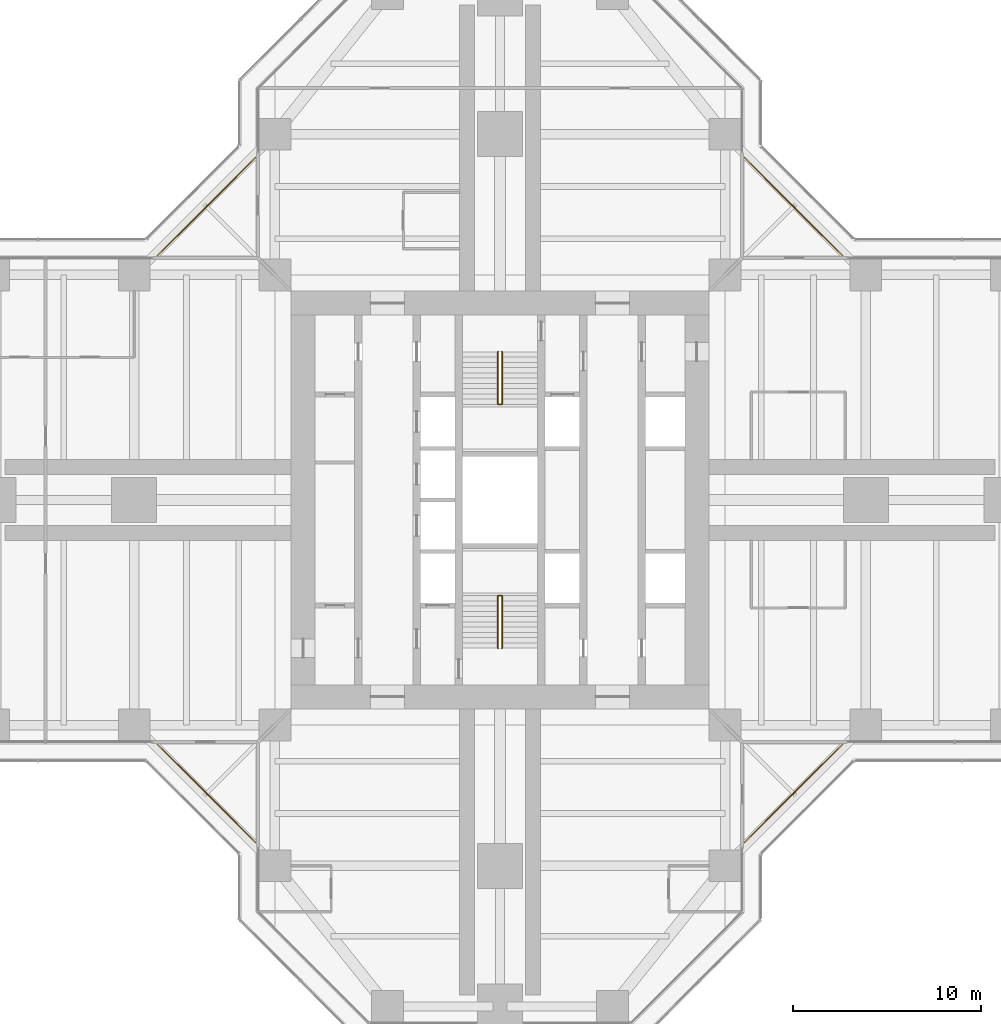
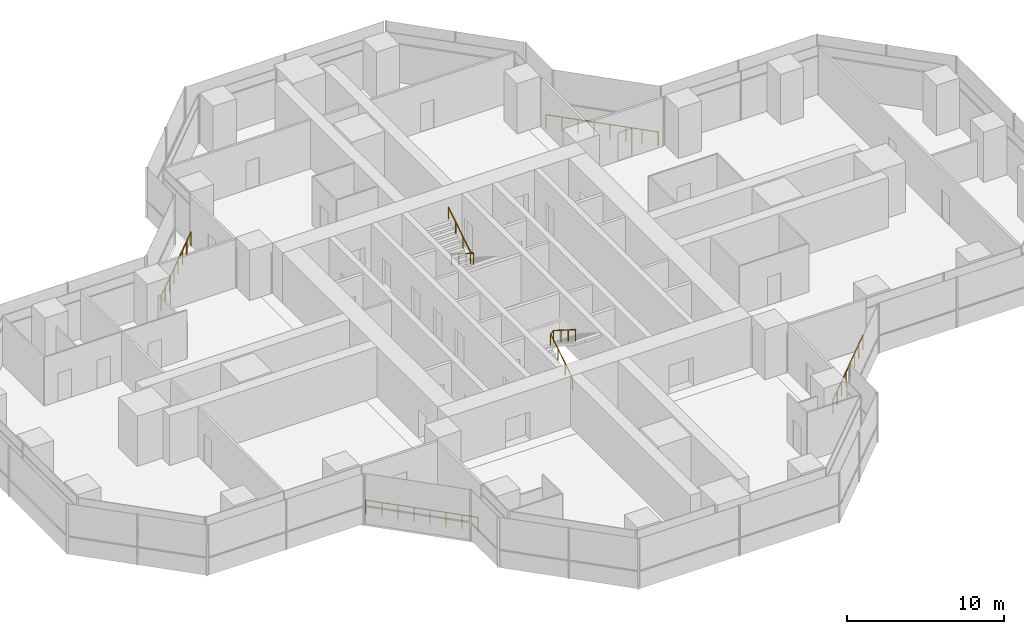
# One storey, part 19 of 19: 6 railings.
"""IFC4 building model written with IfcOpenShell, lengths in metres."""

import ifcopenshell
import ifcopenshell.guid

model = None  # the IFC model being written
_history = None  # IfcOwnerHistory: only IFC2X3 demands one
_inside = {}  # id of a spatial element -> (the spatial element, [elements in it])
_under = {}  # id of a project, library or spatial element -> (it, [spatial elements below it])
_declared = {}  # id of a project -> (the project, [libraries it declares])
_typed = {}  # id of a type object -> (the type object, [elements of that type])
_made_of = {}  # id of a material, layer set ... -> (it, [elements and type objects made of it])


def new_model(schema):
    """Start an empty IFC model of exactly this schema.

    Asked for "IFC4X3", IfcOpenShell would pick the latest addendum, in which some entities
    have other attributes; the version numbers below select the first issue.
    IFC2X3 requires an IfcOwnerHistory on every rooted entity: one is made here for all.
    """
    global model, _history
    if schema == "IFC4X3":
        model = ifcopenshell.file(schema_version=(4, 3, 0, 0))
    else:
        model = ifcopenshell.file(schema=schema)
    _inside.clear()
    _under.clear()
    _declared.clear()
    _typed.clear()
    _made_of.clear()
    _history = None
    if model.schema == "IFC2X3":
        org = make("IfcOrganization", Name="unknown")
        user = make(
            "IfcPersonAndOrganization",
            ThePerson=make("IfcPerson", FamilyName="unknown"),
            TheOrganization=org,
        )
        app = make(
            "IfcApplication",
            ApplicationDeveloper=org,
            Version="unknown",
            ApplicationFullName="unknown",
            ApplicationIdentifier="unknown",
        )
        _history = make(
            "IfcOwnerHistory",
            OwningUser=user,
            OwningApplication=app,
            ChangeAction="ADDED",
            CreationDate=0,
        )
    return model


def make(cls, **values):
    """One entity of the class cls with the attributes given. An attribute that is None is left unset."""
    return model.create_entity(
        cls, **{name: value for name, value in values.items() if value is not None}
    )


def rooted(cls, **values):
    """An entity with a GlobalId (a new one), such as an element, a storey or a relation."""
    return make(cls, GlobalId=ifcopenshell.guid.new(), OwnerHistory=_history, **values)


def si_unit(unit_type, name, prefix=None):
    """IfcSIUnit, for example si_unit("LENGTHUNIT", "METRE", prefix="MILLI")."""
    return make("IfcSIUnit", UnitType=unit_type, Prefix=prefix, Name=name)


def assignment(units):
    """IfcUnitAssignment: the units of a project."""
    return None if units is None else make("IfcUnitAssignment", Units=units)


def point(xyz):
    """IfcCartesianPoint."""
    return None if xyz is None else make("IfcCartesianPoint", Coordinates=xyz)


def direction(xyz):
    """IfcDirection."""
    return None if xyz is None else make("IfcDirection", DirectionRatios=xyz)


def frame(location, z_axis=None, x_axis=None):
    """IfcAxis2Placement3D, a coordinate frame: its origin and axes. An axis left out is left unset."""
    return make(
        "IfcAxis2Placement3D",
        Location=point(location),
        Axis=direction(z_axis),
        RefDirection=direction(x_axis),
    )


def frame_2d(location, x_axis=None):
    """IfcAxis2Placement2D, a coordinate frame in the plane: its origin and x axis."""
    return make(
        "IfcAxis2Placement2D", Location=point(location), RefDirection=direction(x_axis)
    )


def origin():
    """The frame at (0, 0, 0) with its axes left unset."""
    return frame((0.0, 0.0, 0.0))


def origin_2d():
    """The frame at (0, 0) in the plane with its x axis left unset."""
    return frame_2d((0.0, 0.0))


def place(relative_to, where):
    """IfcLocalPlacement: puts the frame where relative to a parent placement (None: the world)."""
    return make(
        "IfcLocalPlacement", PlacementRelTo=relative_to, RelativePlacement=where
    )


def context(
    kind, dimensions, precision=None, world=None, true_north=None, identifier=None
):
    """IfcGeometricRepresentationContext, for example the 3D "Model" context."""
    return make(
        "IfcGeometricRepresentationContext",
        ContextIdentifier=identifier,
        ContextType=kind,
        CoordinateSpaceDimension=dimensions,
        Precision=precision,
        WorldCoordinateSystem=world,
        TrueNorth=true_north,
    )


def subcontext(parent, identifier, kind, view, scale=None):
    """IfcGeometricRepresentationSubContext, for example "Body" below "Model"."""
    return make(
        "IfcGeometricRepresentationSubContext",
        ContextIdentifier=identifier,
        ContextType=kind,
        ParentContext=parent,
        TargetScale=scale,
        TargetView=view,
    )


def project(units=None, contexts=None):
    """IfcProject with its units and contexts."""
    return rooted(
        "IfcProject",
        Name="project",
        RepresentationContexts=contexts,
        UnitsInContext=assignment(units),
    )


def spatial(cls, under=None, at=None, **own):
    """A site, building, storey or space (cls), placed at a placement, below another one or the project."""
    s = rooted(cls, ObjectPlacement=at, **own)
    if under is not None:
        _under.setdefault(under.id(), (under, []))[1].append(s)
    return s


def profile(cls, at=None, kind="AREA", **sizes):
    """A parametric profile (cls). Its sizes go by their IFC names, for example OverallWidth=200.0."""
    return make(cls, ProfileType=kind, Position=at, **sizes)


def circle(**sizes):
    """IfcCircleProfileDef."""
    return profile("IfcCircleProfileDef", **sizes)


def extrude(swept, where, along, depth):
    """IfcExtrudedAreaSolid: the profile swept, set in the frame where, extruded along a direction by depth."""
    return make(
        "IfcExtrudedAreaSolid",
        SweptArea=swept,
        Position=where,
        ExtrudedDirection=direction(along),
        Depth=depth,
    )


def shape(context_of_items, identifier, shape_type, items):
    """IfcShapeRepresentation: the items that make up one representation, for example the "Body"."""
    return make(
        "IfcShapeRepresentation",
        ContextOfItems=context_of_items,
        RepresentationIdentifier=identifier,
        RepresentationType=shape_type,
        Items=items,
    )


def material(Name=None, Category=None):
    """IfcMaterial."""
    return make("IfcMaterial", Name=Name, Category=Category)


def made_of(thing, what):
    """Note that an element or type object is made of a material, layer set ...; save() writes the relation."""
    if what is not None:
        _made_of.setdefault(what.id(), (what, []))[1].append(thing)
    return thing


def type_object(cls, material=None, **own):
    """A type object (cls), such as IfcWallType, which elements share."""
    return made_of(rooted(cls, **own), material)


def element(
    cls,
    number,
    at=None,
    inside=None,
    cuts=None,
    type_object=None,
    material=None,
    context=None,
    identifier="Body",
    shape_type=None,
    held_by="IfcProductDefinitionShape",
    body=None,
    shapes=None,
    **own,
):
    """One element of the class cls, such as IfcWall. Its Tag is "e" and its number.

    at: its placement. inside: the storey or other place that contains it. cuts: it is an
    opening in that element (IfcRelVoidsElement). A single representation is given by context,
    identifier, shape_type and body (its items); several are given by shapes. held_by: the class
    of the entity that holds the representations. save() writes the other relations.
    """
    e = rooted(cls, Tag="e%d" % number, ObjectPlacement=at, **own)
    if body is not None:
        shapes = [shape(context, identifier, shape_type, body)]
    if shapes is not None:
        e.Representation = make(held_by, Representations=shapes)
    if inside is not None:
        _inside.setdefault(inside.id(), (inside, []))[1].append(e)
    if cuts is not None:
        rooted(
            "IfcRelVoidsElement", RelatingBuildingElement=cuts, RelatedOpeningElement=e
        )
    if type_object is not None:
        _typed.setdefault(type_object.id(), (type_object, []))[1].append(e)
    return made_of(e, material)


def aggregate(whole, parts):
    """IfcRelAggregates: a whole, such as a stair, and the parts it consists of."""
    return rooted("IfcRelAggregates", RelatingObject=whole, RelatedObjects=parts)


def save(model, path):
    """Write the relations noted so far, then the file.

    IfcRelAggregates (storeys below a building ...), IfcRelContainedInSpatialStructure (elements
    in a storey), IfcRelDefinesByType, IfcRelAssociatesMaterial and IfcRelDeclares: one each for
    every whole, place, type object, material and project.
    """
    for whole, parts in _under.values():
        aggregate(whole, parts)
    for where, things in _inside.values():
        rooted(
            "IfcRelContainedInSpatialStructure",
            RelatedElements=things,
            RelatingStructure=where,
        )
    for kind, things in _typed.values():
        rooted("IfcRelDefinesByType", RelatedObjects=things, RelatingType=kind)
    for what, things in _made_of.values():
        rooted("IfcRelAssociatesMaterial", RelatedObjects=things, RelatingMaterial=what)
    for by, libraries in _declared.values():
        rooted("IfcRelDeclares", RelatingContext=by, RelatedDefinitions=libraries)
    model.write(path)


model = new_model("IFC4")

# Units and contexts
model_context = context("Model", 3, precision=1e-05, world=origin(), true_north=direction((0.0, 1.0)))
body_context = subcontext(model_context, "Body", "Model", "MODEL_VIEW")
ifc_project = project(units=[si_unit("LENGTHUNIT", "METRE"), si_unit("AREAUNIT", "SQUARE_METRE"), si_unit("VOLUMEUNIT", "CUBIC_METRE"), si_unit("PLANEANGLEUNIT", "RADIAN"), si_unit("MASSUNIT", "GRAM", prefix="KILO")], contexts=[model_context])

# Site, building, storey
site_placement = place(None, origin())
site = spatial("IfcSite", under=ifc_project, at=site_placement, CompositionType="ELEMENT")
building_placement = place(site_placement, origin())
building = spatial("IfcBuilding", under=site, at=building_placement, Name="Mizan Broadcast Tower", CompositionType="ELEMENT")
storey_placement = place(building_placement, frame((0.0, 0.0, 167.10009765625)))
storey = spatial("IfcBuildingStorey", under=building, at=storey_placement, Name="L38", CompositionType="ELEMENT", Elevation=167.10009765625)

# Railings
ifc_material_1 = material(Name="Stainless steel and glass guard", Category="steel")
railing_type_1 = type_object("IfcRailingType", Name="GUARD 1100", PredefinedType="GUARDRAIL", material=ifc_material_1)
railing_1_placement = place(storey_placement, frame((18.2578125, 13.030029296875, 0.0)))
element("IfcRailing", 1, at=railing_1_placement, inside=storey, type_object=railing_type_1, Name="Winter garden guard L38 E", PredefinedType="GUARDRAIL", context=body_context, shape_type="SweptSolid", body=[
    extrude(circle(Radius=0.02392578125, at=origin_2d()), frame((0.0, 0.0, 1.076171875), z_axis=(-0.707106781187, 0.707106781187, 0.0), x_axis=(-0.707106781187, -0.707106781187, 0.0)), (0.0, 0.0, 1.0), 7.393310546875),
    extrude(circle(Radius=0.02099609375, at=origin_2d()), origin(), (0.0, 0.0, 1.0), 1.052001953125),
    extrude(circle(Radius=0.02099609375, at=origin_2d()), frame((-0.746826171875, 0.746826171875, 0.0)), (0.0, 0.0, 1.0), 1.052001953125),
    extrude(circle(Radius=0.02099609375, at=origin_2d()), frame((-1.49365234375, 1.49365234375, 0.0)), (0.0, 0.0, 1.0), 1.052001953125),
    extrude(circle(Radius=0.02099609375, at=origin_2d()), frame((-2.240478515625, 2.240478515625, 0.0)), (0.0, 0.0, 1.0), 1.052001953125),
    extrude(circle(Radius=0.02099609375, at=origin_2d()), frame((-2.9873046875, 2.9873046875, 0.0)), (0.0, 0.0, 1.0), 1.052001953125),
    extrude(circle(Radius=0.02099609375, at=origin_2d()), frame((-3.734130859375, 3.734130859375, 0.0)), (0.0, 0.0, 1.0), 1.052001953125),
    extrude(circle(Radius=0.02099609375, at=origin_2d()), frame((-4.48095703125, 4.48095703125, 0.0)), (0.0, 0.0, 1.0), 1.052001953125),
    extrude(circle(Radius=0.02099609375, at=origin_2d()), frame((-5.227783203125, 5.227783203125, 0.0)), (0.0, 0.0, 1.0), 1.052001953125),
])
railing_2_placement = place(storey_placement, frame((-13.030029296875, 18.2578125, 0.0)))
element("IfcRailing", 2, at=railing_2_placement, inside=storey, type_object=railing_type_1, Name="Winter garden guard L38 N", PredefinedType="GUARDRAIL", context=body_context, shape_type="SweptSolid", body=[
    extrude(circle(Radius=0.02392578125, at=origin_2d()), frame((0.0, 0.0, 1.076171875), z_axis=(-0.707106781187, -0.707106781187, 0.0), x_axis=(0.707106781187, -0.707106781187, 0.0)), (0.0, 0.0, 1.0), 7.393310546875),
    extrude(circle(Radius=0.02099609375, at=origin_2d()), origin(), (0.0, 0.0, 1.0), 1.052001953125),
    extrude(circle(Radius=0.02099609375, at=origin_2d()), frame((-0.746826171875, -0.746826171875, 0.0)), (0.0, 0.0, 1.0), 1.052001953125),
    extrude(circle(Radius=0.02099609375, at=origin_2d()), frame((-1.49365234375, -1.49365234375, 0.0)), (0.0, 0.0, 1.0), 1.052001953125),
    extrude(circle(Radius=0.02099609375, at=origin_2d()), frame((-2.240478515625, -2.240478515625, 0.0)), (0.0, 0.0, 1.0), 1.052001953125),
    extrude(circle(Radius=0.02099609375, at=origin_2d()), frame((-2.9873046875, -2.9873046875, 0.0)), (0.0, 0.0, 1.0), 1.052001953125),
    extrude(circle(Radius=0.02099609375, at=origin_2d()), frame((-3.734130859375, -3.734130859375, 0.0)), (0.0, 0.0, 1.0), 1.052001953125),
    extrude(circle(Radius=0.02099609375, at=origin_2d()), frame((-4.48095703125, -4.48095703125, 0.0)), (0.0, 0.0, 1.0), 1.052001953125),
    extrude(circle(Radius=0.02099609375, at=origin_2d()), frame((-5.227783203125, -5.227783203125, 0.0)), (0.0, 0.0, 1.0), 1.052001953125),
])
railing_3_placement = place(storey_placement, frame((-18.2578125, -13.030029296875, 0.0)))
element("IfcRailing", 3, at=railing_3_placement, inside=storey, type_object=railing_type_1, Name="Winter garden guard L38 W", PredefinedType="GUARDRAIL", context=body_context, shape_type="SweptSolid", body=[
    extrude(circle(Radius=0.02392578125, at=origin_2d()), frame((0.0, 0.0, 1.076171875), z_axis=(0.707106781187, -0.707106781187, 0.0), x_axis=(0.707106781187, 0.707106781187, 0.0)), (0.0, 0.0, 1.0), 7.393310546875),
    extrude(circle(Radius=0.02099609375, at=origin_2d()), origin(), (0.0, 0.0, 1.0), 1.052001953125),
    extrude(circle(Radius=0.02099609375, at=origin_2d()), frame((0.746826171875, -0.746826171875, 0.0)), (0.0, 0.0, 1.0), 1.052001953125),
    extrude(circle(Radius=0.02099609375, at=origin_2d()), frame((1.49365234375, -1.49365234375, 0.0)), (0.0, 0.0, 1.0), 1.052001953125),
    extrude(circle(Radius=0.02099609375, at=origin_2d()), frame((2.240478515625, -2.240478515625, 0.0)), (0.0, 0.0, 1.0), 1.052001953125),
    extrude(circle(Radius=0.02099609375, at=origin_2d()), frame((2.9873046875, -2.9873046875, 0.0)), (0.0, 0.0, 1.0), 1.052001953125),
    extrude(circle(Radius=0.02099609375, at=origin_2d()), frame((3.734130859375, -3.734130859375, 0.0)), (0.0, 0.0, 1.0), 1.052001953125),
    extrude(circle(Radius=0.02099609375, at=origin_2d()), frame((4.48095703125, -4.48095703125, 0.0)), (0.0, 0.0, 1.0), 1.052001953125),
    extrude(circle(Radius=0.02099609375, at=origin_2d()), frame((5.227783203125, -5.227783203125, 0.0)), (0.0, 0.0, 1.0), 1.052001953125),
])
railing_4_placement = place(storey_placement, frame((13.030029296875, -18.2578125, 0.0)))
element("IfcRailing", 4, at=railing_4_placement, inside=storey, type_object=railing_type_1, Name="Winter garden guard L38 S", PredefinedType="GUARDRAIL", context=body_context, shape_type="SweptSolid", body=[
    extrude(circle(Radius=0.02392578125, at=origin_2d()), frame((0.0, 0.0, 1.076171875), z_axis=(0.707106781187, 0.707106781187, 0.0), x_axis=(-0.707106781187, 0.707106781187, 0.0)), (0.0, 0.0, 1.0), 7.393310546875),
    extrude(circle(Radius=0.02099609375, at=origin_2d()), origin(), (0.0, 0.0, 1.0), 1.052001953125),
    extrude(circle(Radius=0.02099609375, at=origin_2d()), frame((0.746826171875, 0.746826171875, 0.0)), (0.0, 0.0, 1.0), 1.052001953125),
    extrude(circle(Radius=0.02099609375, at=origin_2d()), frame((1.49365234375, 1.49365234375, 0.0)), (0.0, 0.0, 1.0), 1.052001953125),
    extrude(circle(Radius=0.02099609375, at=origin_2d()), frame((2.240478515625, 2.240478515625, 0.0)), (0.0, 0.0, 1.0), 1.052001953125),
    extrude(circle(Radius=0.02099609375, at=origin_2d()), frame((2.9873046875, 2.9873046875, 0.0)), (0.0, 0.0, 1.0), 1.052001953125),
    extrude(circle(Radius=0.02099609375, at=origin_2d()), frame((3.734130859375, 3.734130859375, 0.0)), (0.0, 0.0, 1.0), 1.052001953125),
    extrude(circle(Radius=0.02099609375, at=origin_2d()), frame((4.48095703125, 4.48095703125, 0.0)), (0.0, 0.0, 1.0), 1.052001953125),
    extrude(circle(Radius=0.02099609375, at=origin_2d()), frame((5.227783203125, 5.227783203125, 0.0)), (0.0, 0.0, 1.0), 1.052001953125),
])
ifc_material_2 = material(Name="Stainless steel", Category="steel")
railing_type_2 = type_object("IfcRailingType", Name="HANDRAIL 50", PredefinedType="HANDRAIL", material=ifc_material_2)
railing_5_placement = place(storey_placement, frame((-0.110107421875, -7.89990234375, 0.17724609375)))
element("IfcRailing", 5, at=railing_5_placement, inside=storey, type_object=railing_type_2, Name="Stair A handrail", PredefinedType="HANDRAIL", context=body_context, shape_type="SweptSolid", body=[
    extrude(circle(Radius=0.02392578125, at=origin_2d()), frame((0.0, 0.0, 0.8759765625), z_axis=(0.0, 0.844887892834, 0.53494340686), x_axis=(-1.0, 0.0, 0.0)), (0.0, 0.0, 1.0), 3.313720703125),
    extrude(circle(Radius=0.02392578125, at=origin_2d()), frame((0.0, 2.7998046875, 2.6484375), z_axis=(0.779011685263, 0.0, 0.627009405212), x_axis=(0.0, 1.0, 0.0)), (0.0, 0.0, 1.0), 0.28271484375),
    extrude(circle(Radius=0.02392578125, at=origin_2d()), frame((0.22021484375, 2.7998046875, 2.82568359375), z_axis=(0.0, -0.844887892834, 0.53494340686), x_axis=(1.0, 0.0, 0.0)), (0.0, 0.0, 1.0), 3.313720703125),
    extrude(circle(Radius=0.02099609375, at=origin_2d()), origin(), (0.0, 0.0, 1.0), 0.851806640625),
    extrude(circle(Radius=0.02099609375, at=origin_2d()), frame((0.0, 0.933349609375, 0.5908203125)), (0.0, 0.0, 1.0), 0.851806640625),
    extrude(circle(Radius=0.02099609375, at=origin_2d()), frame((0.0, 1.866455078125, 1.181884765625)), (0.0, 0.0, 1.0), 0.851806640625),
    extrude(circle(Radius=0.02099609375, at=origin_2d()), frame((0.0, 2.7998046875, 1.772705078125)), (0.0, 0.0, 1.0), 0.851806640625),
    extrude(circle(Radius=0.02099609375, at=origin_2d()), frame((0.22021484375, 2.7998046875, 1.949951171875)), (0.0, 0.0, 1.0), 0.851806640625),
    extrude(circle(Radius=0.02099609375, at=origin_2d()), frame((0.22021484375, 1.866455078125, 2.540771484375)), (0.0, 0.0, 1.0), 0.851806640625),
    extrude(circle(Radius=0.02099609375, at=origin_2d()), frame((0.22021484375, 0.933349609375, 3.1318359375)), (0.0, 0.0, 1.0), 0.851806640625),
    extrude(circle(Radius=0.02099609375, at=origin_2d()), frame((0.22021484375, 0.0, 3.72265625)), (0.0, 0.0, 1.0), 0.851806640625),
])
railing_6_placement = place(storey_placement, frame((0.110107421875, 7.89990234375, 0.17724609375)))
element("IfcRailing", 6, at=railing_6_placement, inside=storey, type_object=railing_type_2, Name="Stair B handrail", PredefinedType="HANDRAIL", context=body_context, shape_type="SweptSolid", body=[
    extrude(circle(Radius=0.02392578125, at=origin_2d()), frame((0.0, 0.0, 0.8759765625), z_axis=(0.0, -0.844887892834, 0.53494340686), x_axis=(1.0, 0.0, 0.0)), (0.0, 0.0, 1.0), 3.313720703125),
    extrude(circle(Radius=0.02392578125, at=origin_2d()), frame((0.0, -2.7998046875, 2.6484375), z_axis=(-0.779011685263, 0.0, 0.627009405212), x_axis=(0.0, -1.0, 0.0)), (0.0, 0.0, 1.0), 0.28271484375),
    extrude(circle(Radius=0.02392578125, at=origin_2d()), frame((-0.22021484375, -2.7998046875, 2.82568359375), z_axis=(0.0, 0.844887892834, 0.53494340686), x_axis=(-1.0, 0.0, 0.0)), (0.0, 0.0, 1.0), 3.313720703125),
    extrude(circle(Radius=0.02099609375, at=origin_2d()), origin(), (0.0, 0.0, 1.0), 0.851806640625),
    extrude(circle(Radius=0.02099609375, at=origin_2d()), frame((0.0, -0.933349609375, 0.5908203125)), (0.0, 0.0, 1.0), 0.851806640625),
    extrude(circle(Radius=0.02099609375, at=origin_2d()), frame((0.0, -1.866455078125, 1.181884765625)), (0.0, 0.0, 1.0), 0.851806640625),
    extrude(circle(Radius=0.02099609375, at=origin_2d()), frame((0.0, -2.7998046875, 1.772705078125)), (0.0, 0.0, 1.0), 0.851806640625),
    extrude(circle(Radius=0.02099609375, at=origin_2d()), frame((-0.22021484375, -2.7998046875, 1.949951171875)), (0.0, 0.0, 1.0), 0.851806640625),
    extrude(circle(Radius=0.02099609375, at=origin_2d()), frame((-0.22021484375, -1.866455078125, 2.540771484375)), (0.0, 0.0, 1.0), 0.851806640625),
    extrude(circle(Radius=0.02099609375, at=origin_2d()), frame((-0.22021484375, -0.933349609375, 3.1318359375)), (0.0, 0.0, 1.0), 0.851806640625),
    extrude(circle(Radius=0.02099609375, at=origin_2d()), frame((-0.22021484375, 0.0, 3.72265625)), (0.0, 0.0, 1.0), 0.851806640625),
])

save(model, "model.ifc")
